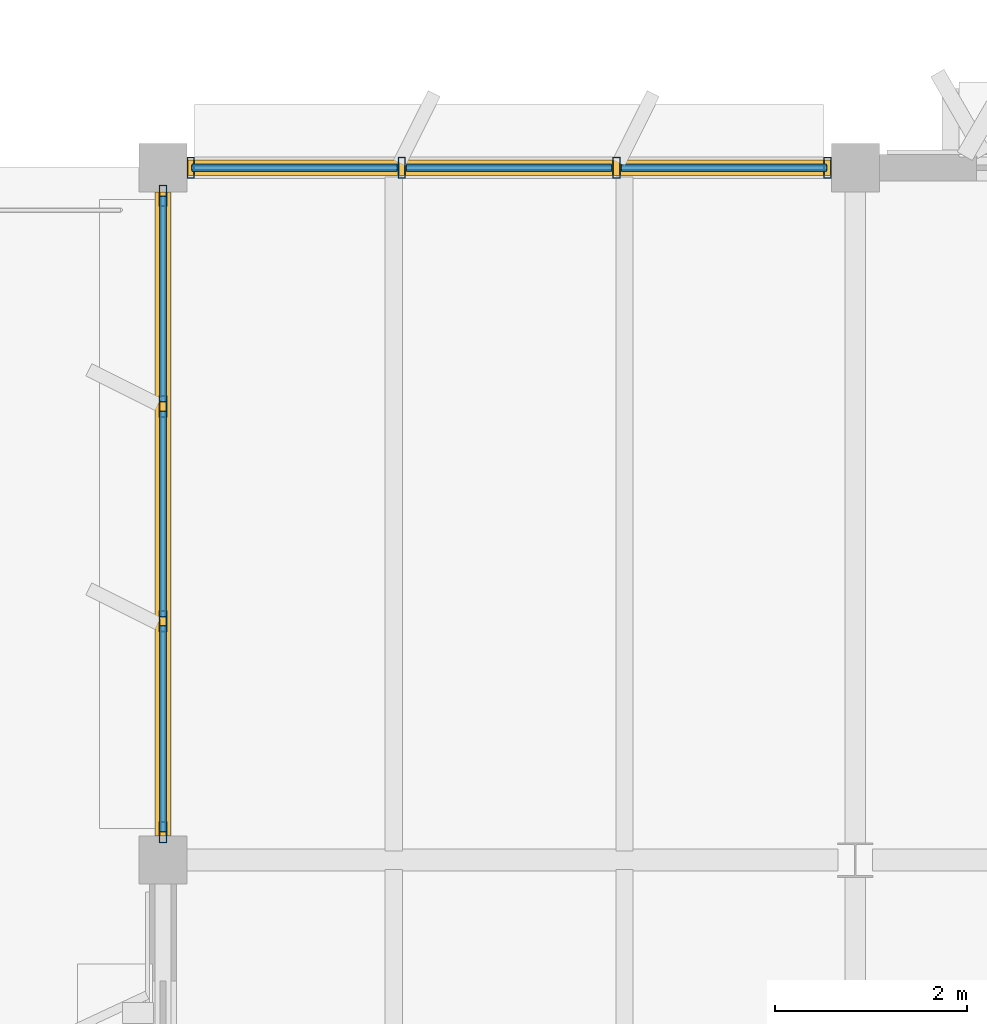
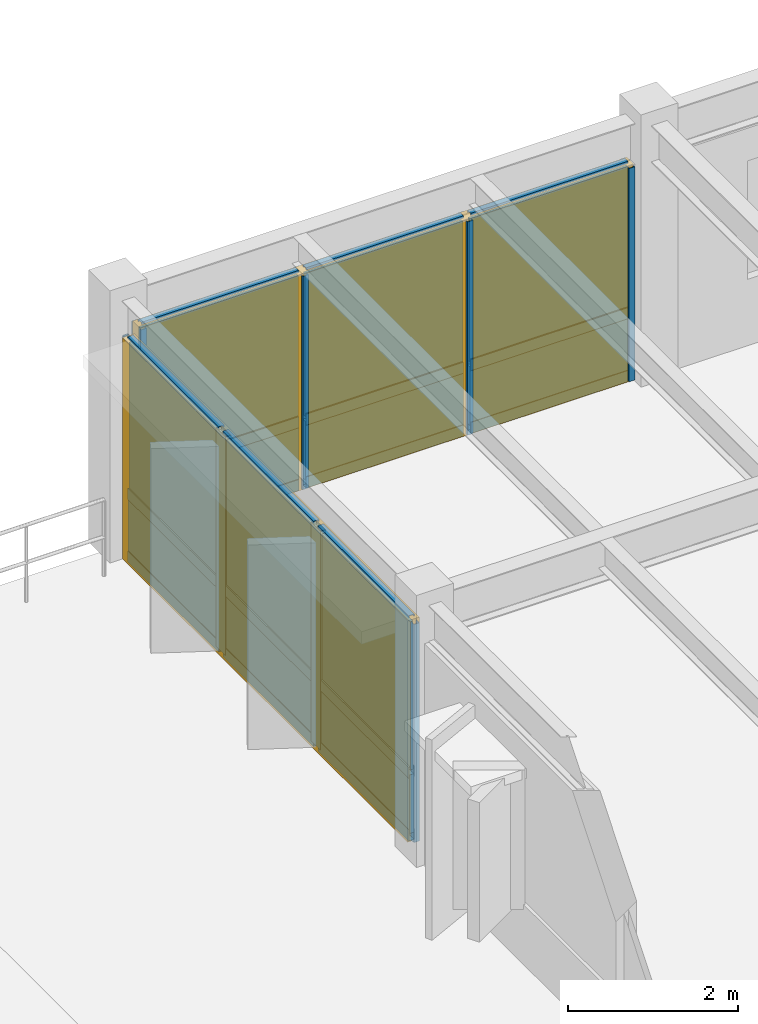
# One storey, part 56 of 82: 26 members, 12 plates, 2 curtain walls.
"""IFC4 building model written with IfcOpenShell, lengths in metres."""

import ifcopenshell
import ifcopenshell.guid

model = None  # the IFC model being written
_history = None  # IfcOwnerHistory: only IFC2X3 demands one
_inside = {}  # id of a spatial element -> (the spatial element, [elements in it])
_under = {}  # id of a project, library or spatial element -> (it, [spatial elements below it])
_declared = {}  # id of a project -> (the project, [libraries it declares])
_typed = {}  # id of a type object -> (the type object, [elements of that type])
_made_of = {}  # id of a material, layer set ... -> (it, [elements and type objects made of it])


def new_model(schema):
    """Start an empty IFC model of exactly this schema.

    Asked for "IFC4X3", IfcOpenShell would pick the latest addendum, in which some entities
    have other attributes; the version numbers below select the first issue.
    IFC2X3 requires an IfcOwnerHistory on every rooted entity: one is made here for all.
    """
    global model, _history
    if schema == "IFC4X3":
        model = ifcopenshell.file(schema_version=(4, 3, 0, 0))
    else:
        model = ifcopenshell.file(schema=schema)
    _inside.clear()
    _under.clear()
    _declared.clear()
    _typed.clear()
    _made_of.clear()
    _history = None
    if model.schema == "IFC2X3":
        org = make("IfcOrganization", Name="unknown")
        user = make(
            "IfcPersonAndOrganization",
            ThePerson=make("IfcPerson", FamilyName="unknown"),
            TheOrganization=org,
        )
        app = make(
            "IfcApplication",
            ApplicationDeveloper=org,
            Version="unknown",
            ApplicationFullName="unknown",
            ApplicationIdentifier="unknown",
        )
        _history = make(
            "IfcOwnerHistory",
            OwningUser=user,
            OwningApplication=app,
            ChangeAction="ADDED",
            CreationDate=0,
        )
    return model


def make(cls, **values):
    """One entity of the class cls with the attributes given. An attribute that is None is left unset."""
    return model.create_entity(
        cls, **{name: value for name, value in values.items() if value is not None}
    )


def rooted(cls, **values):
    """An entity with a GlobalId (a new one), such as an element, a storey or a relation."""
    return make(cls, GlobalId=ifcopenshell.guid.new(), OwnerHistory=_history, **values)


def si_unit(unit_type, name, prefix=None):
    """IfcSIUnit, for example si_unit("LENGTHUNIT", "METRE", prefix="MILLI")."""
    return make("IfcSIUnit", UnitType=unit_type, Prefix=prefix, Name=name)


def assignment(units):
    """IfcUnitAssignment: the units of a project."""
    return None if units is None else make("IfcUnitAssignment", Units=units)


def point(xyz):
    """IfcCartesianPoint."""
    return None if xyz is None else make("IfcCartesianPoint", Coordinates=xyz)


def direction(xyz):
    """IfcDirection."""
    return None if xyz is None else make("IfcDirection", DirectionRatios=xyz)


def frame(location, z_axis=None, x_axis=None):
    """IfcAxis2Placement3D, a coordinate frame: its origin and axes. An axis left out is left unset."""
    return make(
        "IfcAxis2Placement3D",
        Location=point(location),
        Axis=direction(z_axis),
        RefDirection=direction(x_axis),
    )


def frame_2d(location, x_axis=None):
    """IfcAxis2Placement2D, a coordinate frame in the plane: its origin and x axis."""
    return make(
        "IfcAxis2Placement2D", Location=point(location), RefDirection=direction(x_axis)
    )


def origin():
    """The frame at (0, 0, 0) with its axes left unset."""
    return frame((0.0, 0.0, 0.0))


def origin_2d():
    """The frame at (0, 0) in the plane with its x axis left unset."""
    return frame_2d((0.0, 0.0))


def place(relative_to, where):
    """IfcLocalPlacement: puts the frame where relative to a parent placement (None: the world)."""
    return make(
        "IfcLocalPlacement", PlacementRelTo=relative_to, RelativePlacement=where
    )


def context(
    kind, dimensions, precision=None, world=None, true_north=None, identifier=None
):
    """IfcGeometricRepresentationContext, for example the 3D "Model" context."""
    return make(
        "IfcGeometricRepresentationContext",
        ContextIdentifier=identifier,
        ContextType=kind,
        CoordinateSpaceDimension=dimensions,
        Precision=precision,
        WorldCoordinateSystem=world,
        TrueNorth=true_north,
    )


def subcontext(parent, identifier, kind, view, scale=None):
    """IfcGeometricRepresentationSubContext, for example "Body" below "Model"."""
    return make(
        "IfcGeometricRepresentationSubContext",
        ContextIdentifier=identifier,
        ContextType=kind,
        ParentContext=parent,
        TargetScale=scale,
        TargetView=view,
    )


def project(units=None, contexts=None):
    """IfcProject with its units and contexts."""
    return rooted(
        "IfcProject",
        Name="project",
        RepresentationContexts=contexts,
        UnitsInContext=assignment(units),
    )


def spatial(cls, under=None, at=None, **own):
    """A site, building, storey or space (cls), placed at a placement, below another one or the project."""
    s = rooted(cls, ObjectPlacement=at, **own)
    if under is not None:
        _under.setdefault(under.id(), (under, []))[1].append(s)
    return s


def profile(cls, at=None, kind="AREA", **sizes):
    """A parametric profile (cls). Its sizes go by their IFC names, for example OverallWidth=200.0."""
    return make(cls, ProfileType=kind, Position=at, **sizes)


def rectangle(**sizes):
    """IfcRectangleProfileDef."""
    return profile("IfcRectangleProfileDef", **sizes)


def hollow_rectangle(**sizes):
    """IfcRectangleHollowProfileDef."""
    return profile("IfcRectangleHollowProfileDef", **sizes)


def extrude(swept, where, along, depth):
    """IfcExtrudedAreaSolid: the profile swept, set in the frame where, extruded along a direction by depth."""
    return make(
        "IfcExtrudedAreaSolid",
        SweptArea=swept,
        Position=where,
        ExtrudedDirection=direction(along),
        Depth=depth,
    )


def shape(context_of_items, identifier, shape_type, items):
    """IfcShapeRepresentation: the items that make up one representation, for example the "Body"."""
    return make(
        "IfcShapeRepresentation",
        ContextOfItems=context_of_items,
        RepresentationIdentifier=identifier,
        RepresentationType=shape_type,
        Items=items,
    )


def material(Name=None, Category=None):
    """IfcMaterial."""
    return make("IfcMaterial", Name=Name, Category=Category)


def layer(
    of_material, thickness, ventilated=None, Name=None, Category=None, Priority=None
):
    """IfcMaterialLayer: one layer of a wall or slab, of a material (None: an air gap)."""
    return make(
        "IfcMaterialLayer",
        Material=of_material,
        LayerThickness=thickness,
        IsVentilated=ventilated,
        Name=Name,
        Category=Category,
        Priority=Priority,
    )


def layer_set(layers, Name=None):
    """IfcMaterialLayerSet."""
    return make("IfcMaterialLayerSet", MaterialLayers=layers, LayerSetName=Name)


def material_profile(
    of_material, cross_section, Name=None, Category=None, Priority=None
):
    """IfcMaterialProfile: a cross section and its material."""
    return make(
        "IfcMaterialProfile",
        Name=Name,
        Material=of_material,
        Profile=cross_section,
        Priority=Priority,
        Category=Category,
    )


def profile_set(profiles, Name=None, composite=None):
    """IfcMaterialProfileSet."""
    return make(
        "IfcMaterialProfileSet",
        Name=Name,
        MaterialProfiles=profiles,
        CompositeProfile=composite,
    )


def made_of(thing, what):
    """Note that an element or type object is made of a material, layer set ...; save() writes the relation."""
    if what is not None:
        _made_of.setdefault(what.id(), (what, []))[1].append(thing)
    return thing


def type_object(cls, material=None, **own):
    """A type object (cls), such as IfcWallType, which elements share."""
    return made_of(rooted(cls, **own), material)


def element(
    cls,
    number,
    at=None,
    inside=None,
    cuts=None,
    type_object=None,
    material=None,
    context=None,
    identifier="Body",
    shape_type=None,
    held_by="IfcProductDefinitionShape",
    body=None,
    shapes=None,
    **own,
):
    """One element of the class cls, such as IfcWall. Its Tag is "e" and its number.

    at: its placement. inside: the storey or other place that contains it. cuts: it is an
    opening in that element (IfcRelVoidsElement). A single representation is given by context,
    identifier, shape_type and body (its items); several are given by shapes. held_by: the class
    of the entity that holds the representations. save() writes the other relations.
    """
    e = rooted(cls, Tag="e%d" % number, ObjectPlacement=at, **own)
    if body is not None:
        shapes = [shape(context, identifier, shape_type, body)]
    if shapes is not None:
        e.Representation = make(held_by, Representations=shapes)
    if inside is not None:
        _inside.setdefault(inside.id(), (inside, []))[1].append(e)
    if cuts is not None:
        rooted(
            "IfcRelVoidsElement", RelatingBuildingElement=cuts, RelatedOpeningElement=e
        )
    if type_object is not None:
        _typed.setdefault(type_object.id(), (type_object, []))[1].append(e)
    return made_of(e, material)


def aggregate(whole, parts):
    """IfcRelAggregates: a whole, such as a stair, and the parts it consists of."""
    return rooted("IfcRelAggregates", RelatingObject=whole, RelatedObjects=parts)


def save(model, path):
    """Write the relations noted so far, then the file.

    IfcRelAggregates (storeys below a building ...), IfcRelContainedInSpatialStructure (elements
    in a storey), IfcRelDefinesByType, IfcRelAssociatesMaterial and IfcRelDeclares: one each for
    every whole, place, type object, material and project.
    """
    for whole, parts in _under.values():
        aggregate(whole, parts)
    for where, things in _inside.values():
        rooted(
            "IfcRelContainedInSpatialStructure",
            RelatedElements=things,
            RelatingStructure=where,
        )
    for kind, things in _typed.values():
        rooted("IfcRelDefinesByType", RelatedObjects=things, RelatingType=kind)
    for what, things in _made_of.values():
        rooted("IfcRelAssociatesMaterial", RelatedObjects=things, RelatingMaterial=what)
    for by, libraries in _declared.values():
        rooted("IfcRelDeclares", RelatingContext=by, RelatedDefinitions=libraries)
    model.write(path)


model = new_model("IFC4")

# Units and contexts
model_context = context("Model", 3, precision=1e-05, world=origin(), true_north=direction((0.0, 1.0)))
body_context = subcontext(model_context, "Body", "Model", "MODEL_VIEW")
ifc_project = project(units=[si_unit("LENGTHUNIT", "METRE"), si_unit("AREAUNIT", "SQUARE_METRE"), si_unit("VOLUMEUNIT", "CUBIC_METRE"), si_unit("PLANEANGLEUNIT", "RADIAN"), si_unit("MASSUNIT", "GRAM", prefix="KILO")], contexts=[model_context])

# Member
ifc_material_1 = material(Name="Anodized Aluminium 6063-T6", Category="aluminium")
ifc_material_profile_1 = material_profile(ifc_material_1, hollow_rectangle(XDim=0.074951171875, YDim=0.219970703125, WallThickness=0.0048828125, at=origin_2d()), Name="ALU 75x220x5")
ifc_profile_set_1 = profile_set([ifc_material_profile_1], Name="Anodized Aluminium 6063-T6")
member_type_1 = type_object("IfcMemberType", Name="CWM-75X180", PredefinedType="MULLION", material=ifc_profile_set_1)
site_placement = place(None, origin())
building_placement = place(site_placement, origin())
storey_placement = place(building_placement, frame((0.0, 0.0, 14.10009765625)))
member_1_placement = place(storey_placement, frame((29.090087890625, 93.60009765625, 0.02001953125), z_axis=(0.0, 0.0, 1.0), x_axis=(1.0, 0.0, 0.0)))
member_1 = element("IfcMember", 1, at=member_1_placement, type_object=member_type_1, Name="Curtain wall mullion CW-L04-04-12-N-00", PredefinedType="MULLION", context=body_context, shape_type="SweptSolid", body=[
    extrude(hollow_rectangle(XDim=0.074951171875, YDim=0.219970703125, WallThickness=0.0048828125, at=origin_2d()), origin(), (0.0, 0.0, 1.0), 3.057861328125),
])

member_2_placement = place(storey_placement, frame((31.283203125, 93.60009765625, 0.02001953125), z_axis=(0.0, 0.0, 1.0), x_axis=(1.0, 0.0, 0.0)))
member_2 = element("IfcMember", 2, at=member_2_placement, type_object=member_type_1, Name="Curtain wall mullion CW-L04-04-12-N-01", PredefinedType="MULLION", context=body_context, shape_type="SweptSolid", body=[
    extrude(hollow_rectangle(XDim=0.074951171875, YDim=0.219970703125, WallThickness=0.0048828125, at=origin_2d()), origin(), (0.0, 0.0, 1.0), 3.057861328125),
])

member_3_placement = place(storey_placement, frame((33.5166015625, 93.60009765625, 0.02001953125), z_axis=(0.0, 0.0, 1.0), x_axis=(1.0, 0.0, 0.0)))
member_3 = element("IfcMember", 3, at=member_3_placement, type_object=member_type_1, Name="Curtain wall mullion CW-L04-04-12-N-02", PredefinedType="MULLION", context=body_context, shape_type="SweptSolid", body=[
    extrude(hollow_rectangle(XDim=0.074951171875, YDim=0.219970703125, WallThickness=0.0048828125, at=origin_2d()), origin(), (0.0, 0.0, 1.0), 3.057861328125),
])

member_4_placement = place(storey_placement, frame((35.7099609375, 93.60009765625, 0.02001953125), z_axis=(0.0, 0.0, 1.0), x_axis=(1.0, 0.0, 0.0)))
member_4 = element("IfcMember", 4, at=member_4_placement, type_object=member_type_1, Name="Curtain wall mullion CW-L04-04-12-N-03", PredefinedType="MULLION", context=body_context, shape_type="SweptSolid", body=[
    extrude(hollow_rectangle(XDim=0.074951171875, YDim=0.219970703125, WallThickness=0.0048828125, at=origin_2d()), origin(), (0.0, 0.0, 1.0), 3.057861328125),
])

member_5_placement = place(storey_placement, frame((28.800048828125, 86.68994140625, 0.02001953125), z_axis=(0.0, 0.0, 1.0), x_axis=(1.0, 0.0, 0.0)))
member_5 = element("IfcMember", 5, at=member_5_placement, type_object=member_type_1, Name="Curtain wall mullion CW-L04-04-12-W-00", PredefinedType="MULLION", context=body_context, shape_type="SweptSolid", body=[
    extrude(hollow_rectangle(XDim=0.074951171875, YDim=0.219970703125, WallThickness=0.0048828125, at=origin_2d()), origin(), (0.0, 0.0, 1.0), 3.1318359375),
])

member_6_placement = place(storey_placement, frame((28.800048828125, 88.88330078125, 0.02001953125), z_axis=(0.0, 0.0, 1.0), x_axis=(1.0, 0.0, 0.0)))
member_6 = element("IfcMember", 6, at=member_6_placement, type_object=member_type_1, Name="Curtain wall mullion CW-L04-04-12-W-01", PredefinedType="MULLION", context=body_context, shape_type="SweptSolid", body=[
    extrude(hollow_rectangle(XDim=0.074951171875, YDim=0.219970703125, WallThickness=0.0048828125, at=origin_2d()), origin(), (0.0, 0.0, 1.0), 3.1318359375),
])

member_7_placement = place(storey_placement, frame((28.800048828125, 91.11669921875, 0.02001953125), z_axis=(0.0, 0.0, 1.0), x_axis=(1.0, 0.0, 0.0)))
member_7 = element("IfcMember", 7, at=member_7_placement, type_object=member_type_1, Name="Curtain wall mullion CW-L04-04-12-W-02", PredefinedType="MULLION", context=body_context, shape_type="SweptSolid", body=[
    extrude(hollow_rectangle(XDim=0.074951171875, YDim=0.219970703125, WallThickness=0.0048828125, at=origin_2d()), origin(), (0.0, 0.0, 1.0), 3.1318359375),
])

member_8_placement = place(storey_placement, frame((28.800048828125, 93.31005859375, 0.02001953125), z_axis=(0.0, 0.0, 1.0), x_axis=(1.0, 0.0, 0.0)))
member_8 = element("IfcMember", 8, at=member_8_placement, type_object=member_type_1, Name="Curtain wall mullion CW-L04-04-12-W-03", PredefinedType="MULLION", context=body_context, shape_type="SweptSolid", body=[
    extrude(hollow_rectangle(XDim=0.074951171875, YDim=0.219970703125, WallThickness=0.0048828125, at=origin_2d()), origin(), (0.0, 0.0, 1.0), 3.1318359375),
])

ifc_material_profile_2 = material_profile(ifc_material_1, hollow_rectangle(XDim=0.074951171875, YDim=0.159912109375, WallThickness=0.00390625, at=origin_2d()), Name="ALU 75x160x4")
ifc_profile_set_2 = profile_set([ifc_material_profile_2], Name="Anodized Aluminium 6063-T6")
member_type_2 = type_object("IfcMemberType", Name="CWT-75X150", PredefinedType="USERDEFINED", material=ifc_profile_set_2)
member_9_placement = place(storey_placement, frame((29.10009765625, 93.60009765625, 0.0498046875), z_axis=(1.0, 0.0, 0.0), x_axis=(0.0, 1.0, 0.0)))
member_9 = element("IfcMember", 9, at=member_9_placement, type_object=member_type_2, Name="Curtain wall transom CW-L04-04-12-N-1.01", ObjectType="TRANSOM", PredefinedType="USERDEFINED", context=body_context, shape_type="SweptSolid", body=[
    extrude(hollow_rectangle(XDim=0.074951171875, YDim=0.159912109375, WallThickness=0.00390625, at=origin_2d()), origin(), (0.0, 0.0, 1.0), 2.13330078125),
])

member_10_placement = place(storey_placement, frame((31.333251953125, 93.60009765625, 0.0498046875), z_axis=(1.0, 0.0, 0.0), x_axis=(0.0, 1.0, 0.0)))
member_10 = element("IfcMember", 10, at=member_10_placement, type_object=member_type_2, Name="Curtain wall transom CW-L04-04-12-N-1.02", ObjectType="TRANSOM", PredefinedType="USERDEFINED", context=body_context, shape_type="SweptSolid", body=[
    extrude(hollow_rectangle(XDim=0.074951171875, YDim=0.159912109375, WallThickness=0.00390625, at=origin_2d()), origin(), (0.0, 0.0, 1.0), 2.133544921875),
])

member_11_placement = place(storey_placement, frame((33.566650390625, 93.60009765625, 0.0498046875), z_axis=(1.0, 0.0, 0.0), x_axis=(0.0, 1.0, 0.0)))
member_11 = element("IfcMember", 11, at=member_11_placement, type_object=member_type_2, Name="Curtain wall transom CW-L04-04-12-N-1.03", ObjectType="TRANSOM", PredefinedType="USERDEFINED", context=body_context, shape_type="SweptSolid", body=[
    extrude(hollow_rectangle(XDim=0.074951171875, YDim=0.159912109375, WallThickness=0.00390625, at=origin_2d()), origin(), (0.0, 0.0, 1.0), 2.13330078125),
])

member_12_placement = place(storey_placement, frame((29.10009765625, 93.60009765625, 0.949951171875), z_axis=(1.0, 0.0, 0.0), x_axis=(0.0, 1.0, 0.0)))
member_12 = element("IfcMember", 12, at=member_12_placement, type_object=member_type_2, Name="Curtain wall transom CW-L04-04-12-N-2.01", ObjectType="TRANSOM", PredefinedType="USERDEFINED", context=body_context, shape_type="SweptSolid", body=[
    extrude(hollow_rectangle(XDim=0.074951171875, YDim=0.159912109375, WallThickness=0.00390625, at=origin_2d()), origin(), (0.0, 0.0, 1.0), 2.13330078125),
])

member_13_placement = place(storey_placement, frame((31.333251953125, 93.60009765625, 0.949951171875), z_axis=(1.0, 0.0, 0.0), x_axis=(0.0, 1.0, 0.0)))
member_13 = element("IfcMember", 13, at=member_13_placement, type_object=member_type_2, Name="Curtain wall transom CW-L04-04-12-N-2.02", ObjectType="TRANSOM", PredefinedType="USERDEFINED", context=body_context, shape_type="SweptSolid", body=[
    extrude(hollow_rectangle(XDim=0.074951171875, YDim=0.159912109375, WallThickness=0.00390625, at=origin_2d()), origin(), (0.0, 0.0, 1.0), 2.133544921875),
])

member_14_placement = place(storey_placement, frame((33.566650390625, 93.60009765625, 0.949951171875), z_axis=(1.0, 0.0, 0.0), x_axis=(0.0, 1.0, 0.0)))
member_14 = element("IfcMember", 14, at=member_14_placement, type_object=member_type_2, Name="Curtain wall transom CW-L04-04-12-N-2.03", ObjectType="TRANSOM", PredefinedType="USERDEFINED", context=body_context, shape_type="SweptSolid", body=[
    extrude(hollow_rectangle(XDim=0.074951171875, YDim=0.159912109375, WallThickness=0.00390625, at=origin_2d()), origin(), (0.0, 0.0, 1.0), 2.13330078125),
])

member_15_placement = place(storey_placement, frame((29.10009765625, 93.60009765625, 3.0478515625), z_axis=(1.0, 0.0, 0.0), x_axis=(0.0, 1.0, 0.0)))
member_15 = element("IfcMember", 15, at=member_15_placement, type_object=member_type_2, Name="Curtain wall transom CW-L04-04-12-N-3.01", ObjectType="TRANSOM", PredefinedType="USERDEFINED", context=body_context, shape_type="SweptSolid", body=[
    extrude(hollow_rectangle(XDim=0.074951171875, YDim=0.159912109375, WallThickness=0.00390625, at=origin_2d()), origin(), (0.0, 0.0, 1.0), 2.13330078125),
])

member_16_placement = place(storey_placement, frame((31.333251953125, 93.60009765625, 3.0478515625), z_axis=(1.0, 0.0, 0.0), x_axis=(0.0, 1.0, 0.0)))
member_16 = element("IfcMember", 16, at=member_16_placement, type_object=member_type_2, Name="Curtain wall transom CW-L04-04-12-N-3.02", ObjectType="TRANSOM", PredefinedType="USERDEFINED", context=body_context, shape_type="SweptSolid", body=[
    extrude(hollow_rectangle(XDim=0.074951171875, YDim=0.159912109375, WallThickness=0.00390625, at=origin_2d()), origin(), (0.0, 0.0, 1.0), 2.133544921875),
])

member_17_placement = place(storey_placement, frame((33.566650390625, 93.60009765625, 3.0478515625), z_axis=(1.0, 0.0, 0.0), x_axis=(0.0, 1.0, 0.0)))
member_17 = element("IfcMember", 17, at=member_17_placement, type_object=member_type_2, Name="Curtain wall transom CW-L04-04-12-N-3.03", ObjectType="TRANSOM", PredefinedType="USERDEFINED", context=body_context, shape_type="SweptSolid", body=[
    extrude(hollow_rectangle(XDim=0.074951171875, YDim=0.159912109375, WallThickness=0.00390625, at=origin_2d()), origin(), (0.0, 0.0, 1.0), 2.13330078125),
])

member_18_placement = place(storey_placement, frame((28.800048828125, 86.699951171875, 0.0498046875), z_axis=(0.0, 1.0, 0.0), x_axis=(-1.0, 0.0, 0.0)))
member_18 = element("IfcMember", 18, at=member_18_placement, type_object=member_type_2, Name="Curtain wall transom CW-L04-04-12-W-1.01", ObjectType="TRANSOM", PredefinedType="USERDEFINED", context=body_context, shape_type="SweptSolid", body=[
    extrude(hollow_rectangle(XDim=0.074951171875, YDim=0.159912109375, WallThickness=0.00390625, at=origin_2d()), origin(), (0.0, 0.0, 1.0), 2.13330078125),
])

member_19_placement = place(storey_placement, frame((28.800048828125, 88.933349609375, 0.0498046875), z_axis=(0.0, 1.0, 0.0), x_axis=(-1.0, 0.0, 0.0)))
member_19 = element("IfcMember", 19, at=member_19_placement, type_object=member_type_2, Name="Curtain wall transom CW-L04-04-12-W-1.02", ObjectType="TRANSOM", PredefinedType="USERDEFINED", context=body_context, shape_type="SweptSolid", body=[
    extrude(hollow_rectangle(XDim=0.074951171875, YDim=0.159912109375, WallThickness=0.00390625, at=origin_2d()), origin(), (0.0, 0.0, 1.0), 2.13330078125),
])

member_20_placement = place(storey_placement, frame((28.800048828125, 91.166748046875, 0.0498046875), z_axis=(0.0, 1.0, 0.0), x_axis=(-1.0, 0.0, 0.0)))
member_20 = element("IfcMember", 20, at=member_20_placement, type_object=member_type_2, Name="Curtain wall transom CW-L04-04-12-W-1.03", ObjectType="TRANSOM", PredefinedType="USERDEFINED", context=body_context, shape_type="SweptSolid", body=[
    extrude(hollow_rectangle(XDim=0.074951171875, YDim=0.159912109375, WallThickness=0.00390625, at=origin_2d()), origin(), (0.0, 0.0, 1.0), 2.13330078125),
])

member_21_placement = place(storey_placement, frame((28.800048828125, 86.699951171875, 0.949951171875), z_axis=(0.0, 1.0, 0.0), x_axis=(-1.0, 0.0, 0.0)))
member_21 = element("IfcMember", 21, at=member_21_placement, type_object=member_type_2, Name="Curtain wall transom CW-L04-04-12-W-2.01", ObjectType="TRANSOM", PredefinedType="USERDEFINED", context=body_context, shape_type="SweptSolid", body=[
    extrude(hollow_rectangle(XDim=0.074951171875, YDim=0.159912109375, WallThickness=0.00390625, at=origin_2d()), origin(), (0.0, 0.0, 1.0), 2.13330078125),
])

member_22_placement = place(storey_placement, frame((28.800048828125, 88.933349609375, 0.949951171875), z_axis=(0.0, 1.0, 0.0), x_axis=(-1.0, 0.0, 0.0)))
member_22 = element("IfcMember", 22, at=member_22_placement, type_object=member_type_2, Name="Curtain wall transom CW-L04-04-12-W-2.02", ObjectType="TRANSOM", PredefinedType="USERDEFINED", context=body_context, shape_type="SweptSolid", body=[
    extrude(hollow_rectangle(XDim=0.074951171875, YDim=0.159912109375, WallThickness=0.00390625, at=origin_2d()), origin(), (0.0, 0.0, 1.0), 2.13330078125),
])

member_23_placement = place(storey_placement, frame((28.800048828125, 91.166748046875, 0.949951171875), z_axis=(0.0, 1.0, 0.0), x_axis=(-1.0, 0.0, 0.0)))
member_23 = element("IfcMember", 23, at=member_23_placement, type_object=member_type_2, Name="Curtain wall transom CW-L04-04-12-W-2.03", ObjectType="TRANSOM", PredefinedType="USERDEFINED", context=body_context, shape_type="SweptSolid", body=[
    extrude(hollow_rectangle(XDim=0.074951171875, YDim=0.159912109375, WallThickness=0.00390625, at=origin_2d()), origin(), (0.0, 0.0, 1.0), 2.13330078125),
])

member_24_placement = place(storey_placement, frame((28.800048828125, 86.699951171875, 3.121826171875), z_axis=(0.0, 1.0, 0.0), x_axis=(-1.0, 0.0, 0.0)))
member_24 = element("IfcMember", 24, at=member_24_placement, type_object=member_type_2, Name="Curtain wall transom CW-L04-04-12-W-3.01", ObjectType="TRANSOM", PredefinedType="USERDEFINED", context=body_context, shape_type="SweptSolid", body=[
    extrude(hollow_rectangle(XDim=0.074951171875, YDim=0.159912109375, WallThickness=0.00390625, at=origin_2d()), origin(), (0.0, 0.0, 1.0), 2.13330078125),
])

member_25_placement = place(storey_placement, frame((28.800048828125, 88.933349609375, 3.121826171875), z_axis=(0.0, 1.0, 0.0), x_axis=(-1.0, 0.0, 0.0)))
member_25 = element("IfcMember", 25, at=member_25_placement, type_object=member_type_2, Name="Curtain wall transom CW-L04-04-12-W-3.02", ObjectType="TRANSOM", PredefinedType="USERDEFINED", context=body_context, shape_type="SweptSolid", body=[
    extrude(hollow_rectangle(XDim=0.074951171875, YDim=0.159912109375, WallThickness=0.00390625, at=origin_2d()), origin(), (0.0, 0.0, 1.0), 2.13330078125),
])

member_26_placement = place(storey_placement, frame((28.800048828125, 91.166748046875, 3.121826171875), z_axis=(0.0, 1.0, 0.0), x_axis=(-1.0, 0.0, 0.0)))
member_26 = element("IfcMember", 26, at=member_26_placement, type_object=member_type_2, Name="Curtain wall transom CW-L04-04-12-W-3.03", ObjectType="TRANSOM", PredefinedType="USERDEFINED", context=body_context, shape_type="SweptSolid", body=[
    extrude(hollow_rectangle(XDim=0.074951171875, YDim=0.159912109375, WallThickness=0.00390625, at=origin_2d()), origin(), (0.0, 0.0, 1.0), 2.13330078125),
])

# Plate
ifc_material_2 = material(Name="Acoustic Laminated Low-E Glazing", Category="glass")
ifc_layer_1 = layer(ifc_material_2, 0.0439453125)
ifc_layer_set_1 = layer_set([ifc_layer_1], Name="Acoustic Laminated Low-E Glazing")
plate_type_1 = type_object("IfcPlateType", Name="CWP-IGU-44", PredefinedType="CURTAIN_PANEL", material=ifc_layer_set_1)
plate_1_placement = place(storey_placement, frame((30.166748046875, 93.60009765625, 0.98974609375), z_axis=(0.0, 0.0, 1.0), x_axis=(1.0, 0.0, 0.0)))
plate_1 = element("IfcPlate", 27, at=plate_1_placement, type_object=plate_type_1, Name="Curtain wall vision glazing CW-L04-04-12-N-01", PredefinedType="CURTAIN_PANEL", context=body_context, shape_type="SweptSolid", body=[
    extrude(rectangle(XDim=2.143310546875, YDim=0.0400390625, at=origin_2d()), origin(), (0.0, 0.0, 1.0), 2.048095703125),
])

plate_2_placement = place(storey_placement, frame((32.39990234375, 93.60009765625, 0.98974609375), z_axis=(0.0, 0.0, 1.0), x_axis=(1.0, 0.0, 0.0)))
plate_2 = element("IfcPlate", 28, at=plate_2_placement, type_object=plate_type_1, Name="Curtain wall vision glazing CW-L04-04-12-N-02", PredefinedType="CURTAIN_PANEL", context=body_context, shape_type="SweptSolid", body=[
    extrude(rectangle(XDim=2.143310546875, YDim=0.0400390625, at=origin_2d()), origin(), (0.0, 0.0, 1.0), 2.048095703125),
])

plate_3_placement = place(storey_placement, frame((34.63330078125, 93.60009765625, 0.98974609375), z_axis=(0.0, 0.0, 1.0), x_axis=(1.0, 0.0, 0.0)))
plate_3 = element("IfcPlate", 29, at=plate_3_placement, type_object=plate_type_1, Name="Curtain wall vision glazing CW-L04-04-12-N-03", PredefinedType="CURTAIN_PANEL", context=body_context, shape_type="SweptSolid", body=[
    extrude(rectangle(XDim=2.143310546875, YDim=0.0400390625, at=origin_2d()), origin(), (0.0, 0.0, 1.0), 2.048095703125),
])

plate_4_placement = place(storey_placement, frame((28.800048828125, 87.7666015625, 0.98974609375), z_axis=(0.0, 0.0, 1.0), x_axis=(0.0, 1.0, 0.0)))
plate_4 = element("IfcPlate", 30, at=plate_4_placement, type_object=plate_type_1, Name="Curtain wall vision glazing CW-L04-04-12-W-01", PredefinedType="CURTAIN_PANEL", context=body_context, shape_type="SweptSolid", body=[
    extrude(rectangle(XDim=2.143310546875, YDim=0.0400390625, at=origin_2d()), origin(), (0.0, 0.0, 1.0), 2.1220703125),
])

plate_5_placement = place(storey_placement, frame((28.800048828125, 90.0, 0.98974609375), z_axis=(0.0, 0.0, 1.0), x_axis=(0.0, 1.0, 0.0)))
plate_5 = element("IfcPlate", 31, at=plate_5_placement, type_object=plate_type_1, Name="Curtain wall vision glazing CW-L04-04-12-W-02", PredefinedType="CURTAIN_PANEL", context=body_context, shape_type="SweptSolid", body=[
    extrude(rectangle(XDim=2.143310546875, YDim=0.0400390625, at=origin_2d()), origin(), (0.0, 0.0, 1.0), 2.1220703125),
])

plate_6_placement = place(storey_placement, frame((28.800048828125, 92.2333984375, 0.98974609375), z_axis=(0.0, 0.0, 1.0), x_axis=(0.0, 1.0, 0.0)))
plate_6 = element("IfcPlate", 32, at=plate_6_placement, type_object=plate_type_1, Name="Curtain wall vision glazing CW-L04-04-12-W-03", PredefinedType="CURTAIN_PANEL", context=body_context, shape_type="SweptSolid", body=[
    extrude(rectangle(XDim=2.143310546875, YDim=0.0400390625, at=origin_2d()), origin(), (0.0, 0.0, 1.0), 2.1220703125),
])

ifc_material_3 = material(Name="Insulated Stone-Composite Spandrel", Category="masonry")
ifc_layer_2 = layer(ifc_material_3, 0.068115234375)
ifc_layer_set_2 = layer_set([ifc_layer_2], Name="Insulated Stone-Composite Spandrel")
plate_type_2 = type_object("IfcPlateType", Name="CWP-SPN-68", PredefinedType="CURTAIN_PANEL", material=ifc_layer_set_2)
plate_7_placement = place(storey_placement, frame((30.166748046875, 93.60009765625, 0.080078125), z_axis=(0.0, 0.0, 1.0), x_axis=(1.0, 0.0, 0.0)))
plate_7 = element("IfcPlate", 33, at=plate_7_placement, type_object=plate_type_2, Name="Curtain wall spandrel panel CW-L04-04-12-N-01", PredefinedType="CURTAIN_PANEL", context=body_context, shape_type="SweptSolid", body=[
    extrude(rectangle(XDim=2.143310546875, YDim=0.06005859375, at=origin_2d()), origin(), (0.0, 0.0, 1.0), 0.840087890625),
])

plate_8_placement = place(storey_placement, frame((32.39990234375, 93.60009765625, 0.080078125), z_axis=(0.0, 0.0, 1.0), x_axis=(1.0, 0.0, 0.0)))
plate_8 = element("IfcPlate", 34, at=plate_8_placement, type_object=plate_type_2, Name="Curtain wall spandrel panel CW-L04-04-12-N-02", PredefinedType="CURTAIN_PANEL", context=body_context, shape_type="SweptSolid", body=[
    extrude(rectangle(XDim=2.143310546875, YDim=0.06005859375, at=origin_2d()), origin(), (0.0, 0.0, 1.0), 0.840087890625),
])

plate_9_placement = place(storey_placement, frame((34.63330078125, 93.60009765625, 0.080078125), z_axis=(0.0, 0.0, 1.0), x_axis=(1.0, 0.0, 0.0)))
plate_9 = element("IfcPlate", 35, at=plate_9_placement, type_object=plate_type_2, Name="Curtain wall spandrel panel CW-L04-04-12-N-03", PredefinedType="CURTAIN_PANEL", context=body_context, shape_type="SweptSolid", body=[
    extrude(rectangle(XDim=2.143310546875, YDim=0.06005859375, at=origin_2d()), origin(), (0.0, 0.0, 1.0), 0.840087890625),
])

plate_10_placement = place(storey_placement, frame((28.800048828125, 87.7666015625, 0.080078125), z_axis=(0.0, 0.0, 1.0), x_axis=(0.0, 1.0, 0.0)))
plate_10 = element("IfcPlate", 36, at=plate_10_placement, type_object=plate_type_2, Name="Curtain wall spandrel panel CW-L04-04-12-W-01", PredefinedType="CURTAIN_PANEL", context=body_context, shape_type="SweptSolid", body=[
    extrude(rectangle(XDim=2.143310546875, YDim=0.06005859375, at=origin_2d()), origin(), (0.0, 0.0, 1.0), 0.840087890625),
])

plate_11_placement = place(storey_placement, frame((28.800048828125, 90.0, 0.080078125), z_axis=(0.0, 0.0, 1.0), x_axis=(0.0, 1.0, 0.0)))
plate_11 = element("IfcPlate", 37, at=plate_11_placement, type_object=plate_type_2, Name="Curtain wall spandrel panel CW-L04-04-12-W-02", PredefinedType="CURTAIN_PANEL", context=body_context, shape_type="SweptSolid", body=[
    extrude(rectangle(XDim=2.143310546875, YDim=0.06005859375, at=origin_2d()), origin(), (0.0, 0.0, 1.0), 0.840087890625),
])

plate_12_placement = place(storey_placement, frame((28.800048828125, 92.2333984375, 0.080078125), z_axis=(0.0, 0.0, 1.0), x_axis=(0.0, 1.0, 0.0)))
plate_12 = element("IfcPlate", 38, at=plate_12_placement, type_object=plate_type_2, Name="Curtain wall spandrel panel CW-L04-04-12-W-03", PredefinedType="CURTAIN_PANEL", context=body_context, shape_type="SweptSolid", body=[
    extrude(rectangle(XDim=2.143310546875, YDim=0.06005859375, at=origin_2d()), origin(), (0.0, 0.0, 1.0), 0.840087890625),
])

# Site, building, storey
site = spatial("IfcSite", under=ifc_project, at=site_placement, CompositionType="ELEMENT")
building = spatial("IfcBuilding", under=site, at=building_placement, Name="Sillqori Civic Hall", CompositionType="ELEMENT")
storey = spatial("IfcBuildingStorey", under=building, at=storey_placement, Name="L04", CompositionType="ELEMENT", Elevation=14.10009765625)

# Curtain wall
ifc_material_4 = material(Name="Anodized Aluminium Curtain Wall System", Category="aluminium")
curtain_wall_type = type_object("IfcCurtainWallType", Name="CW-AD-370", PredefinedType="NOTDEFINED", material=ifc_material_4)
curtain_wall_1_placement = place(storey_placement, frame((32.39990234375, 93.60009765625, 0.0), z_axis=(0.0, 0.0, 1.0), x_axis=(1.0, 0.0, 0.0)))
curtain_wall_1 = element("IfcCurtainWall", 39, at=curtain_wall_1_placement, inside=storey, type_object=curtain_wall_type, Name="L04 unitised curtain wall CW-L04-04-12-N", PredefinedType="NOTDEFINED", context=body_context, shape_type="SweptSolid", body=[
    extrude(rectangle(XDim=6.699951171875, YDim=0.159912109375, at=origin_2d()), origin(), (0.0, 0.0, 1.0), 3.097900390625),
])

aggregate(curtain_wall_1, [member_1, member_2, member_3, member_4, member_9, member_10, member_11, member_12, member_13, member_14, member_15, member_16, member_17, plate_7, plate_1, plate_8, plate_2, plate_9, plate_3])

curtain_wall_2_placement = place(storey_placement, frame((28.800048828125, 90.0, 0.0), z_axis=(0.0, 0.0, 1.0), x_axis=(0.0, 1.0, 0.0)))
curtain_wall_2 = element("IfcCurtainWall", 40, at=curtain_wall_2_placement, inside=storey, type_object=curtain_wall_type, Name="L04 unitised curtain wall CW-L04-04-12-W", PredefinedType="NOTDEFINED", context=body_context, shape_type="SweptSolid", body=[
    extrude(rectangle(XDim=6.699951171875, YDim=0.159912109375, at=origin_2d()), origin(), (0.0, 0.0, 1.0), 3.172119140625),
])

aggregate(curtain_wall_2, [member_5, member_6, member_7, member_8, member_18, member_19, member_20, member_21, member_22, member_23, member_24, member_25, member_26, plate_10, plate_4, plate_11, plate_5, plate_12, plate_6])

save(model, "model.ifc")
